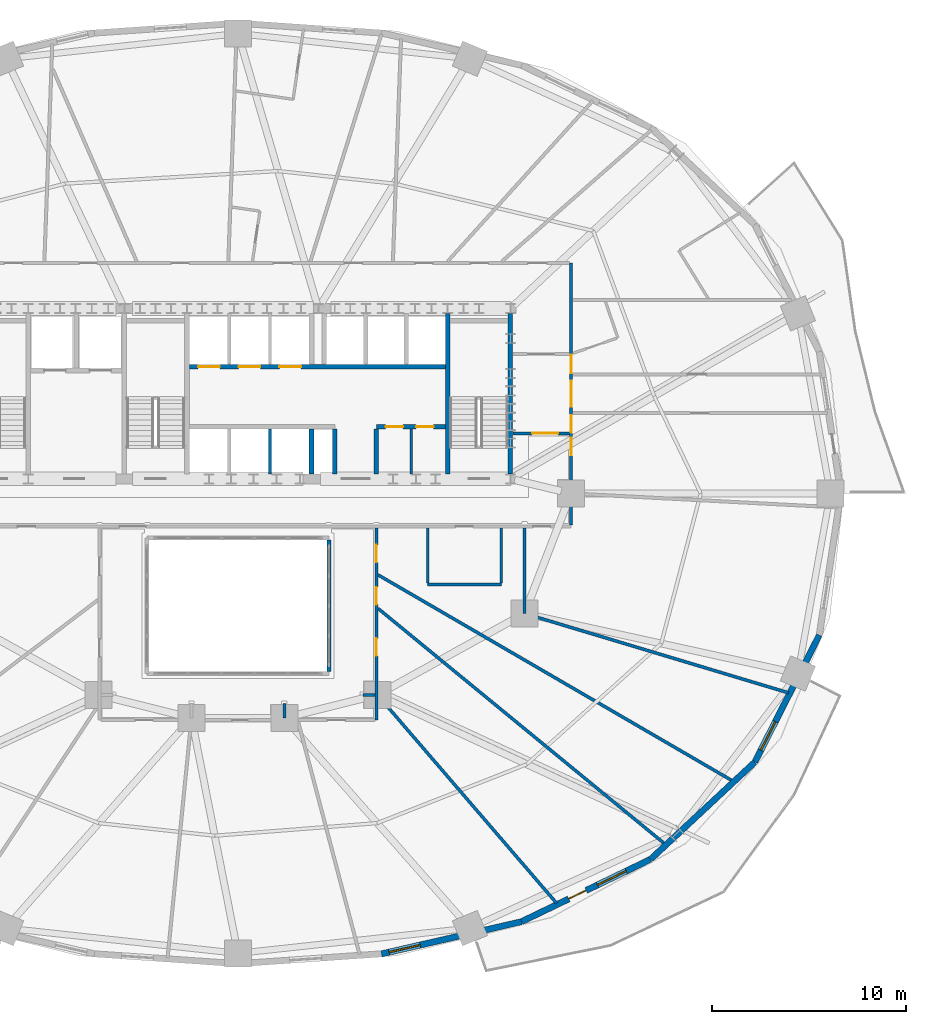
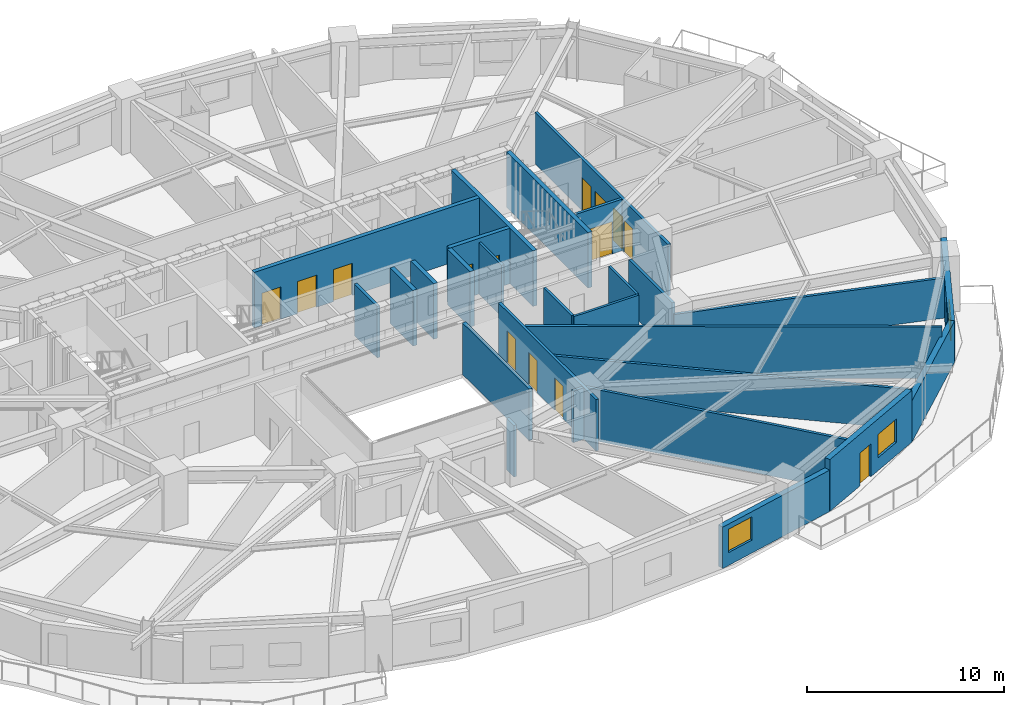
# One storey, part 11 of 18: 27 walls, 14 doors, 3 windows, 17 openings.
"""IFC4 building model written with IfcOpenShell, lengths in metres."""

from ifc_helpers import new_model, si_unit, direction, frame, frame_2d, origin, place, context, subcontext, project, spatial, rectangle, extrude, material, layer, layer_set, type_object, element, fill, save


model = new_model("IFC4")

# Units and contexts
model_context = context("Model", 3, precision=1e-05, world=origin(), true_north=direction((0.0, 1.0)))
body_context = subcontext(model_context, "Body", "Model", "MODEL_VIEW")
ifc_project = project(units=[si_unit("LENGTHUNIT", "METRE"), si_unit("AREAUNIT", "SQUARE_METRE"), si_unit("VOLUMEUNIT", "CUBIC_METRE"), si_unit("PLANEANGLEUNIT", "RADIAN"), si_unit("MASSUNIT", "GRAM", prefix="KILO")], contexts=[model_context])

# Site, building, storey
site_placement = place(None, origin())
site = spatial("IfcSite", under=ifc_project, at=site_placement, CompositionType="ELEMENT")
building_placement = place(site_placement, origin())
building = spatial("IfcBuilding", under=site, at=building_placement, Name="Haldorwick Loom Tower", CompositionType="ELEMENT")
storey_placement = place(building_placement, frame((0.0, 0.0, 48.14990234375)))
storey = spatial("IfcBuildingStorey", under=building, at=storey_placement, Name="L12", CompositionType="ELEMENT", Elevation=48.14990234375)

# Wall, opening, window
ifc_material_1 = material(Name="Pressed Clay Face Brick and Insulated Masonry Backup Assembly", Category="masonry")
ifc_layer_1 = layer(ifc_material_1, 0.320068359375, Name="Pressed Clay Face Brick and Insulated Masonry Backup Assembly", Category="masonry")
ifc_layer_set_1 = layer_set([ifc_layer_1], Name="Pressed Clay Face Brick and Insulated Masonry Backup Assembly")
wall_type_1 = type_object("IfcWallType", Name="ARC-WL-EXT320", PredefinedType="STANDARD", material=ifc_layer_set_1)
wall_1_placement = place(storey_placement, frame((43.411376953125, 2.219482421875, 0.0), z_axis=(0.0, 0.0, 1.0), x_axis=(0.974522412345, 0.224290142088, 0.0)))
wall_1 = element("IfcWall", 1, at=wall_1_placement, inside=storey, type_object=wall_type_1, Name="L12 Brick Pier and Spandrel Wall 20", PredefinedType="STANDARD", context=body_context, shape_type="SweptSolid", body=[
    extrude(rectangle(XDim=7.422607421875, YDim=0.320068359375, at=frame_2d((3.71142578125, 0.0))), origin(), (0.0, 0.0, 1.0), 2.569091796875),
])
opening_1_placement = place(wall_1_placement, frame((0.39990234375, 0.0, 0.800048828125)))
opening_1 = element("IfcOpeningElement", 2, at=opening_1_placement, cuts=wall_1, Name="Opening W-01B", PredefinedType="OPENING", context=body_context, shape_type="SweptSolid", body=[
    extrude(rectangle(XDim=1.64990234375, YDim=1.449951171875, at=frame_2d((0.824951171875, 0.72509765625))), frame((0.0, 0.169921875, 0.0), z_axis=(0.0, -1.0, 0.0), x_axis=(1.0, 0.0, 0.0)), (0.0, 0.0, 1.0), 0.340087890625),
])
ifc_material_2 = material(Name="Triple-Glazed Low-E Argon Insulated Glazing Unit", Category="glass")
window_type = type_object("IfcWindowType", Name="ARC-WIN-W165", PartitioningType="SINGLE_PANEL", PredefinedType="WINDOW", material=ifc_material_2)
window_1_placement = place(opening_1_placement, origin())
window_1 = element("IfcWindow", 3, at=window_1_placement, inside=storey, type_object=window_type, Name="L12 Deep-Set Zone 7A Window 20", OverallHeight=1.449951171875, OverallWidth=1.64990234375, PartitioningType="SINGLE_PANEL", PredefinedType="WINDOW", context=body_context, shape_type="SweptSolid", body=[
    extrude(rectangle(XDim=1.64990234375, YDim=1.449951171875, at=frame_2d((0.824951171875, 0.72509765625))), frame((0.0, 0.030029296875, 0.0), z_axis=(0.0, -1.0, 0.0), x_axis=(1.0, 0.0, 0.0)), (0.0, 0.0, 1.0), 0.06005859375),
])
fill(opening_1, window_1)

# Wall, openings, door, window
wall_2_placement = place(storey_placement, frame((50.644775390625, 3.88427734375, 0.0), z_axis=(0.0, 0.0, 1.0), x_axis=(0.900295710431, 0.435278800057, 0.0)))
wall_2 = element("IfcWall", 4, at=wall_2_placement, inside=storey, type_object=wall_type_1, Name="L12 Brick Pier and Spandrel Wall 21", PredefinedType="STANDARD", context=body_context, shape_type="SweptSolid", body=[
    extrude(rectangle(XDim=7.39697265625, YDim=0.320068359375, at=frame_2d((3.698486328125, 0.0))), origin(), (0.0, 0.0, 1.0), 3.210205078125),
])
opening_2_placement = place(wall_2_placement, frame((2.705322265625, 0.0, 0.0)))
opening_2 = element("IfcOpeningElement", 5, at=opening_2_placement, cuts=wall_2, Name="Opening D-BL10", PredefinedType="OPENING", context=body_context, shape_type="SweptSolid", body=[
    extrude(rectangle(XDim=1.0, YDim=2.0400390625, at=frame_2d((0.5, 1.02001953125))), frame((0.0, 0.169921875, 0.0), z_axis=(0.0, -1.0, 0.0), x_axis=(1.0, 0.0, 0.0)), (0.0, 0.0, 1.0), 0.340087890625),
])
opening_3_placement = place(wall_2_placement, frame((4.352783203125, 0.0, 0.800048828125)))
opening_3 = element("IfcOpeningElement", 6, at=opening_3_placement, cuts=wall_2, Name="Opening W-01B", PredefinedType="OPENING", context=body_context, shape_type="SweptSolid", body=[
    extrude(rectangle(XDim=1.64990234375, YDim=1.449951171875, at=frame_2d((0.824951171875, 0.72509765625))), frame((0.0, 0.169921875, 0.0), z_axis=(0.0, -1.0, 0.0), x_axis=(1.0, 0.0, 0.0)), (0.0, 0.0, 1.0), 0.340087890625),
])
ifc_material_3 = material(Name="Thermally Broken Anodized Aluminium Curtain Wall Framing", Category="aluminium")
door_type_1 = type_object("IfcDoorType", Name="ARC-DR-BAL100", OperationType="NOTDEFINED", PredefinedType="DOOR", material=ifc_material_3)
door_1_placement = place(opening_2_placement, origin())
door_1 = element("IfcDoor", 7, at=door_1_placement, inside=storey, type_object=door_type_1, Name="L12 Outdoor Terrace Door SLB-L12-BAL_SE", OperationType="SINGLE_SWING_RIGHT", OverallHeight=2.0400390625, OverallWidth=1.0, PredefinedType="DOOR", context=body_context, shape_type="SweptSolid", body=[
    extrude(rectangle(XDim=1.0, YDim=2.0400390625, at=frame_2d((0.5, 1.02001953125))), frame((0.0, 0.02490234375, 0.0), z_axis=(0.0, -1.0, 0.0), x_axis=(1.0, 0.0, 0.0)), (0.0, 0.0, 1.0), 0.050048828125),
])
fill(opening_2, door_1)
window_2_placement = place(opening_3_placement, origin())
window_2 = element("IfcWindow", 8, at=window_2_placement, inside=storey, type_object=window_type, Name="L12 Deep-Set Zone 7A Window 21", OverallHeight=1.449951171875, OverallWidth=1.64990234375, PartitioningType="SINGLE_PANEL", PredefinedType="WINDOW", context=body_context, shape_type="SweptSolid", body=[
    extrude(rectangle(XDim=1.64990234375, YDim=1.449951171875, at=frame_2d((0.824951171875, 0.72509765625))), frame((0.0, 0.030029296875, 0.0), z_axis=(0.0, -1.0, 0.0), x_axis=(1.0, 0.0, 0.0)), (0.0, 0.0, 1.0), 0.06005859375),
])
fill(opening_3, window_2)

# Wall
wall_3_placement = place(storey_placement, frame((57.30419921875, 7.10400390625, 0.0), z_axis=(0.0, 0.0, 1.0), x_axis=(0.73176101237, 0.681561311091, 0.0)))
element("IfcWall", 9, at=wall_3_placement, inside=storey, type_object=wall_type_1, Name="L12 Brick Pier and Spandrel Wall 22", PredefinedType="STANDARD", context=body_context, shape_type="SweptSolid", body=[
    extrude(rectangle(XDim=7.3583984375, YDim=0.320068359375, at=frame_2d((3.67919921875, 0.0))), origin(), (0.0, 0.0, 1.0), 2.569091796875),
])

# Wall, opening, window
wall_4_placement = place(storey_placement, frame((62.688720703125, 12.119140625, 0.0), z_axis=(0.0, 0.0, 1.0), x_axis=(0.452950855928, 0.891535485617, 0.0)))
wall_4 = element("IfcWall", 10, at=wall_4_placement, inside=storey, type_object=wall_type_1, Name="L12 Brick Pier and Spandrel Wall 23", PredefinedType="STANDARD", context=body_context, shape_type="SweptSolid", body=[
    extrude(rectangle(XDim=7.3583984375, YDim=0.320068359375, at=frame_2d((3.67919921875, 0.0))), origin(), (0.0, 0.0, 1.0), 2.569091796875),
])
opening_4_placement = place(wall_4_placement, frame((0.69921875, 0.0, 0.800048828125)))
opening_4 = element("IfcOpeningElement", 11, at=opening_4_placement, cuts=wall_4, Name="Opening W-01B", PredefinedType="OPENING", context=body_context, shape_type="SweptSolid", body=[
    extrude(rectangle(XDim=1.64990234375, YDim=1.449951171875, at=frame_2d((0.824951171875, 0.72509765625))), frame((0.0, 0.169921875, 0.0), z_axis=(0.0, -1.0, 0.0), x_axis=(1.0, 0.0, 0.0)), (0.0, 0.0, 1.0), 0.340087890625),
])
window_3_placement = place(opening_4_placement, origin())
window_3 = element("IfcWindow", 12, at=window_3_placement, inside=storey, type_object=window_type, Name="L12 Deep-Set Zone 7A Window 23", OverallHeight=1.449951171875, OverallWidth=1.64990234375, PartitioningType="SINGLE_PANEL", PredefinedType="WINDOW", context=body_context, shape_type="SweptSolid", body=[
    extrude(rectangle(XDim=1.64990234375, YDim=1.449951171875, at=frame_2d((0.824951171875, 0.72509765625))), frame((0.0, 0.030029296875, 0.0), z_axis=(0.0, -1.0, 0.0), x_axis=(1.0, 0.0, 0.0)), (0.0, 0.0, 1.0), 0.06005859375),
])
fill(opening_4, window_3)

# Wall, openings, doors
ifc_material_4 = material(Name="Fire-Rated Type X Gypsum Stud Assembly EI 60")
ifc_layer_2 = layer(ifc_material_4, 0.159912109375, Name="Fire-Rated Type X Gypsum Stud Assembly EI 60")
ifc_layer_set_2 = layer_set([ifc_layer_2], Name="Fire-Rated Type X Gypsum Stud Assembly EI 60")
wall_type_2 = type_object("IfcWallType", Name="ARC-WL-FIRE160", PredefinedType="PARTITIONING", material=ifc_layer_set_2)
wall_5_placement = place(storey_placement, frame((53.199951171875, 24.383056640625, 0.0), z_axis=(0.0, 0.0, 1.0), x_axis=(0.0, 1.0, 0.0)))
wall_5 = element("IfcWall", 13, at=wall_5_placement, inside=storey, type_object=wall_type_2, Name="L12 Residential Fire Partition L12-CR-E0", PredefinedType="PARTITIONING", context=body_context, shape_type="SweptSolid", body=[
    extrude(rectangle(XDim=13.516845703125, YDim=0.159912109375, at=frame_2d((6.75830078125, 0.0))), origin(), (0.0, 0.0, 1.0), 3.195068359375),
])
opening_5_placement = place(wall_5_placement, frame((6.08349609375, 0.0, 0.0)))
opening_5 = element("IfcOpeningElement", 14, at=opening_5_placement, cuts=wall_5, Name="Opening D-CR15", PredefinedType="OPENING", context=body_context, shape_type="SweptSolid", body=[
    extrude(rectangle(XDim=1.35009765625, YDim=2.0, at=frame_2d((0.675048828125, 1.0))), frame((0.0, 0.08984375, 0.0), z_axis=(0.0, -1.0, 0.0), x_axis=(1.0, 0.0, 0.0)), (0.0, 0.0, 1.0), 0.179931640625),
])
opening_6_placement = place(wall_5_placement, frame((3.5908203125, 0.0, 0.0)))
opening_6 = element("IfcOpeningElement", 15, at=opening_6_placement, cuts=wall_5, Name="Opening D-FD60A", PredefinedType="OPENING", context=body_context, shape_type="SweptSolid", body=[
    extrude(rectangle(XDim=0.89990234375, YDim=2.0, at=frame_2d((0.449951171875, 1.0))), frame((0.0, 0.08984375, 0.0), z_axis=(0.0, -1.0, 0.0), x_axis=(1.0, 0.0, 0.0)), (0.0, 0.0, 1.0), 0.179931640625),
])
opening_7_placement = place(wall_5_placement, frame((4.75732421875, 0.0, 0.0)))
opening_7 = element("IfcOpeningElement", 16, at=opening_7_placement, cuts=wall_5, Name="Opening D-FD60A", PredefinedType="OPENING", context=body_context, shape_type="SweptSolid", body=[
    extrude(rectangle(XDim=0.89990234375, YDim=2.0, at=frame_2d((0.449951171875, 1.0))), frame((0.0, 0.08984375, 0.0), z_axis=(0.0, -1.0, 0.0), x_axis=(1.0, 0.0, 0.0)), (0.0, 0.0, 1.0), 0.179931640625),
])
opening_8_placement = place(wall_5_placement, frame((7.834716796875, 0.0, 0.0)))
opening_8 = element("IfcOpeningElement", 17, at=opening_8_placement, cuts=wall_5, Name="Opening D-FL95", PredefinedType="OPENING", context=body_context, shape_type="SweptSolid", body=[
    extrude(rectangle(XDim=0.949951171875, YDim=2.0400390625, at=frame_2d((0.47509765625, 1.02001953125))), frame((0.0, 0.08984375, 0.0), z_axis=(0.0, -1.0, 0.0), x_axis=(1.0, 0.0, 0.0)), (0.0, 0.0, 1.0), 0.179931640625),
])
ifc_material_5 = material(Name="Thermally Broken Anodized Aluminium and Tempered Glass", Category="aluminium")
door_type_2 = type_object("IfcDoorType", Name="ARC-DR-COR150", OperationType="NOTDEFINED", PredefinedType="DOOR", material=ifc_material_5)
door_2_placement = place(opening_5_placement, origin())
door_2 = element("IfcDoor", 18, at=door_2_placement, inside=storey, type_object=door_type_2, Name="L12 L12 East Residential Corridor to L12 East Daylight Corridor Door", OperationType="DOUBLE_DOOR_SINGLE_SWING", OverallHeight=2.0, OverallWidth=1.35009765625, PredefinedType="DOOR", context=body_context, shape_type="SweptSolid", body=[
    extrude(rectangle(XDim=1.35009765625, YDim=2.0, at=frame_2d((0.675048828125, 1.0))), frame((0.0, 0.02490234375, 0.0), z_axis=(0.0, -1.0, 0.0), x_axis=(1.0, 0.0, 0.0)), (0.0, 0.0, 1.0), 0.050048828125),
])
fill(opening_5, door_2)
ifc_material_6 = material(Name="Hollow Steel Fire Door Assembly", Category="steel")
door_type_3 = type_object("IfcDoorType", Name="ARC-DR-FD60-90", OperationType="NOTDEFINED", PredefinedType="DOOR", material=ifc_material_6)
door_3_placement = place(opening_6_placement, origin())
door_3 = element("IfcDoor", 19, at=door_3_placement, inside=storey, type_object=door_type_3, Name="L12 L12 Central Residential Corridor to Tenant Seminar Room 2 Door", OperationType="SINGLE_SWING_LEFT", OverallHeight=2.0, OverallWidth=0.89990234375, PredefinedType="DOOR", context=body_context, shape_type="SweptSolid", body=[
    extrude(rectangle(XDim=0.89990234375, YDim=2.0, at=frame_2d((0.449951171875, 1.0))), frame((0.0, 0.02490234375, 0.0), z_axis=(0.0, -1.0, 0.0), x_axis=(1.0, 0.0, 0.0)), (0.0, 0.0, 1.0), 0.050048828125),
])
fill(opening_6, door_3)
door_4_placement = place(opening_7_placement, origin())
door_4 = element("IfcDoor", 20, at=door_4_placement, inside=storey, type_object=door_type_3, Name="L12 L12 East Residential Corridor to Tenant Seminar Room 2 Door", OperationType="SINGLE_SWING_LEFT", OverallHeight=2.0, OverallWidth=0.89990234375, PredefinedType="DOOR", context=body_context, shape_type="SweptSolid", body=[
    extrude(rectangle(XDim=0.89990234375, YDim=2.0, at=frame_2d((0.449951171875, 1.0))), frame((0.0, 0.02490234375, 0.0), z_axis=(0.0, -1.0, 0.0), x_axis=(1.0, 0.0, 0.0)), (0.0, 0.0, 1.0), 0.050048828125),
])
fill(opening_7, door_4)
ifc_material_7 = material(Name="Solid Core Birch Architectural Door")
door_type_4 = type_object("IfcDoorType", Name="ARC-DR-FLAT95", OperationType="NOTDEFINED", PredefinedType="DOOR", material=ifc_material_7)
door_5_placement = place(opening_8_placement, origin())
door_5 = element("IfcDoor", 21, at=door_5_placement, inside=storey, type_object=door_type_4, Name="L12 L12 East Residential Corridor to Unit 12C Kitchen and Studio Living ", OperationType="SINGLE_SWING_RIGHT", OverallHeight=2.0400390625, OverallWidth=0.949951171875, PredefinedType="DOOR", context=body_context, shape_type="SweptSolid", body=[
    extrude(rectangle(XDim=0.949951171875, YDim=2.0400390625, at=frame_2d((0.47509765625, 1.02001953125))), frame((0.0, 0.02490234375, 0.0), z_axis=(0.0, -1.0, 0.0), x_axis=(1.0, 0.0, 0.0)), (0.0, 0.0, 1.0), 0.050048828125),
])
fill(opening_8, door_5)

# Wall, opening, door
wall_6_placement = place(storey_placement, frame((50.193115234375, 29.10009765625, 0.0), z_axis=(0.0, 0.0, 1.0), x_axis=(1.0, 0.0, 0.0)))
wall_6 = element("IfcWall", 22, at=wall_6_placement, inside=storey, type_object=wall_type_2, Name="L12 Residential Fire Partition L12-CR-ESJ", PredefinedType="PARTITIONING", context=body_context, shape_type="SweptSolid", body=[
    extrude(rectangle(XDim=2.923828125, YDim=0.159912109375, at=frame_2d((1.4619140625, 0.0))), origin(), (0.0, 0.0, 1.0), 3.195068359375),
])
opening_9_placement = place(wall_6_placement, frame((0.99560546875, 0.0, 0.0)))
opening_9 = element("IfcOpeningElement", 23, at=opening_9_placement, cuts=wall_6, Name="Opening D-CR15", PredefinedType="OPENING", context=body_context, shape_type="SweptSolid", body=[
    extrude(rectangle(XDim=1.35009765625, YDim=2.0, at=frame_2d((0.675048828125, 1.0))), frame((0.0, 0.08984375, 0.0), z_axis=(0.0, -1.0, 0.0), x_axis=(1.0, 0.0, 0.0)), (0.0, 0.0, 1.0), 0.179931640625),
])
door_6_placement = place(opening_9_placement, origin())
door_6 = element("IfcDoor", 24, at=door_6_placement, inside=storey, type_object=door_type_2, Name="L12 L12 East Residential Corridor to L12 Central Residential Corridor Do", OperationType="DOUBLE_DOOR_SINGLE_SWING", OverallHeight=2.0, OverallWidth=1.35009765625, PredefinedType="DOOR", context=body_context, shape_type="SweptSolid", body=[
    extrude(rectangle(XDim=1.35009765625, YDim=2.0, at=frame_2d((0.675048828125, 1.0))), frame((0.0, 0.02490234375, 0.0), z_axis=(0.0, -1.0, 0.0), x_axis=(1.0, 0.0, 0.0)), (0.0, 0.0, 1.0), 0.050048828125),
])
fill(opening_9, door_6)

# Wall, openings, doors
wall_7_placement = place(storey_placement, frame((43.14990234375, 14.300048828125, 0.0), z_axis=(0.0, 0.0, 1.0), x_axis=(0.0, 1.0, 0.0)))
wall_7 = element("IfcWall", 25, at=wall_7_placement, inside=storey, type_object=wall_type_2, Name="L12 Residential Fire Partition L12-CR-AE", PredefinedType="PARTITIONING", context=body_context, shape_type="SweptSolid", body=[
    extrude(rectangle(XDim=9.9169921875, YDim=0.159912109375, at=frame_2d((4.95849609375, 0.0))), origin(), (0.0, 0.0, 1.0), 3.195068359375),
])
opening_10_placement = place(wall_7_placement, frame((3.3134765625, 0.0, 0.0)))
opening_10 = element("IfcOpeningElement", 26, at=opening_10_placement, cuts=wall_7, Name="Opening D-FD60A", PredefinedType="OPENING", context=body_context, shape_type="SweptSolid", body=[
    extrude(rectangle(XDim=0.89990234375, YDim=2.0, at=frame_2d((0.449951171875, 1.0))), frame((0.0, 0.08984375, 0.0), z_axis=(0.0, -1.0, 0.0), x_axis=(1.0, 0.0, 0.0)), (0.0, 0.0, 1.0), 0.179931640625),
])
opening_11_placement = place(wall_7_placement, frame((8.144775390625, 0.0, 0.0)))
opening_11 = element("IfcOpeningElement", 27, at=opening_11_placement, cuts=wall_7, Name="Opening D-FD60A", PredefinedType="OPENING", context=body_context, shape_type="SweptSolid", body=[
    extrude(rectangle(XDim=0.89990234375, YDim=2.0, at=frame_2d((0.449951171875, 1.0))), frame((0.0, 0.08984375, 0.0), z_axis=(0.0, -1.0, 0.0), x_axis=(1.0, 0.0, 0.0)), (0.0, 0.0, 1.0), 0.179931640625),
])
opening_12_placement = place(wall_7_placement, frame((5.962646484375, 0.0, 0.0)))
opening_12 = element("IfcOpeningElement", 28, at=opening_12_placement, cuts=wall_7, Name="Opening D-FD60A", PredefinedType="OPENING", context=body_context, shape_type="SweptSolid", body=[
    extrude(rectangle(XDim=0.89990234375, YDim=2.0, at=frame_2d((0.449951171875, 1.0))), frame((0.0, 0.08984375, 0.0), z_axis=(0.0, -1.0, 0.0), x_axis=(1.0, 0.0, 0.0)), (0.0, 0.0, 1.0), 0.179931640625),
])
door_7_placement = place(opening_10_placement, origin())
door_7 = element("IfcDoor", 29, at=door_7_placement, inside=storey, type_object=door_type_3, Name="L12 L12 South Atrium Corridor to Community Teaching Classroom 11 Door", OperationType="SINGLE_SWING_LEFT", OverallHeight=2.0, OverallWidth=0.89990234375, PredefinedType="DOOR", context=body_context, shape_type="SweptSolid", body=[
    extrude(rectangle(XDim=0.89990234375, YDim=2.0, at=frame_2d((0.449951171875, 1.0))), frame((0.0, 0.02490234375, 0.0), z_axis=(0.0, -1.0, 0.0), x_axis=(1.0, 0.0, 0.0)), (0.0, 0.0, 1.0), 0.050048828125),
])
fill(opening_10, door_7)
door_8_placement = place(opening_11_placement, origin())
door_8 = element("IfcDoor", 30, at=door_8_placement, inside=storey, type_object=door_type_3, Name="L12 L12 South Atrium Corridor to Tenant Meeting Room 1 Door", OperationType="SINGLE_SWING_LEFT", OverallHeight=2.0, OverallWidth=0.89990234375, PredefinedType="DOOR", context=body_context, shape_type="SweptSolid", body=[
    extrude(rectangle(XDim=0.89990234375, YDim=2.0, at=frame_2d((0.449951171875, 1.0))), frame((0.0, 0.02490234375, 0.0), z_axis=(0.0, -1.0, 0.0), x_axis=(1.0, 0.0, 0.0)), (0.0, 0.0, 1.0), 0.050048828125),
])
fill(opening_11, door_8)
door_9_placement = place(opening_12_placement, origin())
door_9 = element("IfcDoor", 31, at=door_9_placement, inside=storey, type_object=door_type_3, Name="L12 L12 South Atrium Corridor to Community Teaching Classroom 17 Door", OperationType="SINGLE_SWING_RIGHT", OverallHeight=2.0, OverallWidth=0.89990234375, PredefinedType="DOOR", context=body_context, shape_type="SweptSolid", body=[
    extrude(rectangle(XDim=0.89990234375, YDim=2.0, at=frame_2d((0.449951171875, 1.0))), frame((0.0, 0.02490234375, 0.0), z_axis=(0.0, -1.0, 0.0), x_axis=(1.0, 0.0, 0.0)), (0.0, 0.0, 1.0), 0.050048828125),
])
fill(opening_12, door_9)

# Walls
wall_8_placement = place(storey_placement, frame((50.800048828125, 19.800048828125, 0.0), z_axis=(0.0, 0.0, 1.0), x_axis=(0.957673245776, -0.287857524351, 0.0)))
element("IfcWall", 32, at=wall_8_placement, inside=storey, type_object=wall_type_2, Name="L12 Residential Fire Partition L12-ICR-03", PredefinedType="PARTITIONING", context=body_context, shape_type="SweptSolid", body=[
    extrude(rectangle(XDim=14.238525390625, YDim=0.159912109375, at=frame_2d((7.119140625, 0.0))), origin(), (0.0, 0.0, 1.0), 2.489990234375),
])
wall_9_placement = place(storey_placement, frame((43.23291015625, 15.5615234375, 0.0), z_axis=(0.0, 0.0, 1.0), x_axis=(0.652038078605, -0.758186219902, 0.0)))
element("IfcWall", 33, at=wall_9_placement, inside=storey, type_object=wall_type_2, Name="L12 Residential Fire Partition L12-ICR-05", PredefinedType="PARTITIONING", context=body_context, shape_type="SweptSolid", body=[
    extrude(rectangle(XDim=14.149658203125, YDim=0.159912109375, at=frame_2d((7.07470703125, 0.0))), origin(), (0.0, 0.0, 1.0), 3.195068359375),
])
wall_10_placement = place(storey_placement, frame((50.800048828125, 24.217041015625, 0.0), z_axis=(0.0, 0.0, 1.0), x_axis=(0.0, -1.0, 0.0)))
element("IfcWall", 34, at=wall_10_placement, inside=storey, type_object=wall_type_2, Name="L12 Residential Fire Partition L12-ICA-02", PredefinedType="PARTITIONING", context=body_context, shape_type="SweptSolid", body=[
    extrude(rectangle(XDim=4.4169921875, YDim=0.159912109375, at=frame_2d((2.20849609375, 0.0))), origin(), (0.0, 0.0, 1.0), 3.195068359375),
])
wall_11_placement = place(storey_placement, frame((42.449951171875, 15.60009765625, 0.0), z_axis=(0.0, 0.0, 1.0), x_axis=(1.0, 0.0, 0.0)))
element("IfcWall", 35, at=wall_11_placement, inside=storey, type_object=wall_type_2, Name="L12 Residential Fire Partition L12-ICA-04", PredefinedType="PARTITIONING", context=body_context, shape_type="SweptSolid", body=[
    extrude(rectangle(XDim=0.616943359375, YDim=0.159912109375, at=frame_2d((0.30859375, 0.0))), origin(), (0.0, 0.0, 1.0), 3.195068359375),
])
wall_12_placement = place(storey_placement, frame((38.39990234375, 15.14990234375, 0.0), z_axis=(0.0, 0.0, 1.0), x_axis=(0.0, -1.0, 0.0)))
element("IfcWall", 36, at=wall_12_placement, inside=storey, type_object=wall_type_2, Name="L12 Residential Fire Partition L12-ICA-06", PredefinedType="PARTITIONING", context=body_context, shape_type="SweptSolid", body=[
    extrude(rectangle(XDim=0.75, YDim=0.159912109375, at=frame_2d((0.375, 0.0))), origin(), (0.0, 0.0, 1.0), 3.195068359375),
])
wall_13_placement = place(storey_placement, frame((43.23291015625, 21.796142578125, 0.0), z_axis=(0.0, 0.0, 1.0), x_axis=(0.864574362114, -0.502504897862, 0.0)))
element("IfcWall", 37, at=wall_13_placement, inside=storey, type_object=wall_type_2, Name="L12 Suite Split Wall", PredefinedType="PARTITIONING", context=body_context, shape_type="SweptSolid", body=[
    extrude(rectangle(XDim=21.188232421875, YDim=0.159912109375, at=frame_2d((10.59423828125, 0.0))), origin(), (0.0, 0.0, 1.0), 3.195068359375),
])
wall_14_placement = place(storey_placement, frame((43.23291015625, 20.0615234375, 0.0), z_axis=(0.0, 0.0, 1.0), x_axis=(0.772891023515, -0.634538781927, 0.0)))
element("IfcWall", 38, at=wall_14_placement, inside=storey, type_object=wall_type_2, Name="L12 Suite Split Wall", PredefinedType="PARTITIONING", context=body_context, shape_type="SweptSolid", body=[
    extrude(rectangle(XDim=19.177978515625, YDim=0.159912109375, at=frame_2d((9.5888671875, 0.0))), origin(), (0.0, 0.0, 1.0), 2.489990234375),
])
ifc_material_8 = material(Name="Fire-Rated Type X Gypsum Stud Assembly EI 120")
ifc_layer_3 = layer(ifc_material_8, 0.199951171875, Name="Fire-Rated Type X Gypsum Stud Assembly EI 120")
ifc_layer_set_3 = layer_set([ifc_layer_3], Name="Fire-Rated Type X Gypsum Stud Assembly EI 120")
wall_type_3 = type_object("IfcWallType", Name="ARC-WL-FIRE200", PredefinedType="PARTITIONING", material=ifc_layer_set_3)
wall_15_placement = place(storey_placement, frame((40.699951171875, 23.596923828125, 0.0), z_axis=(0.0, 0.0, 1.0), x_axis=(0.0, -1.0, 0.0)))
element("IfcWall", 39, at=wall_15_placement, inside=storey, type_object=wall_type_3, Name="L12 Atrium Fire Enclosure Wall E", PredefinedType="PARTITIONING", context=body_context, shape_type="SweptSolid", body=[
    extrude(rectangle(XDim=6.7939453125, YDim=0.199951171875, at=frame_2d((3.39697265625, 0.0))), origin(), (0.0, 0.0, 1.0), 3.195068359375),
])
ifc_layer_4 = layer(ifc_material_4, 0.139892578125, Name="Fire-Rated Type X Gypsum Stud Assembly EI 60")
ifc_layer_set_4 = layer_set([ifc_layer_4], Name="Fire-Rated Type X Gypsum Stud Assembly EI 60")
wall_type_4 = type_object("IfcWallType", Name="ARC-WL-PART140", PredefinedType="PARTITIONING", material=ifc_layer_set_4)
wall_16_placement = place(storey_placement, frame((44.949951171875, 27.0029296875, 0.0), z_axis=(0.0, 0.0, 1.0), x_axis=(0.0, 1.0, 0.0)))
element("IfcWall", 40, at=wall_16_placement, inside=storey, type_object=wall_type_4, Name="L12 Service Partition", PredefinedType="PARTITIONING", context=body_context, shape_type="SweptSolid", body=[
    extrude(rectangle(XDim=2.323974609375, YDim=0.139892578125, at=frame_2d((1.162109375, 0.0))), origin(), (0.0, 0.0, 1.0), 3.195068359375),
])
wall_17_placement = place(storey_placement, frame((45.800048828125, 21.300048828125, 0.0), z_axis=(0.0, 0.0, 1.0), x_axis=(1.0, 0.0, 0.0)))
element("IfcWall", 41, at=wall_17_placement, inside=storey, type_object=wall_type_4, Name="L12 Residential Fire Partition L12-CWC-S", PredefinedType="PARTITIONING", context=body_context, shape_type="SweptSolid", body=[
    extrude(rectangle(XDim=3.800048828125, YDim=0.139892578125, at=frame_2d((1.89990234375, 0.0))), origin(), (0.0, 0.0, 1.0), 3.195068359375),
])
for number, where, z_axis, x_axis, name in (
    (42, (45.800048828125, 21.373046875, 0.0), (0.0, 0.0, 1.0), (0.0, 1.0, 0.0), "L12 Residential Fire Partition L12-CWC-W"),
    (43, (49.60009765625, 21.373046875, 0.0), (0.0, 0.0, 1.0), (0.0, 1.0, 0.0), "L12 Residential Fire Partition L12-CWC-E"),
):
    element("IfcWall", number, at=place(storey_placement, frame(where, z_axis=z_axis, x_axis=x_axis)), inside=storey, type_object=wall_type_4, Name=name, PredefinedType="PARTITIONING", context=body_context, shape_type="SweptSolid", body=[
        extrude(rectangle(XDim=2.843994140625, YDim=0.139892578125, at=frame_2d((1.421875, 0.0))), origin(), (0.0, 0.0, 1.0), 3.195068359375),
    ])
ifc_layer_5 = layer(ifc_material_8, 0.1650390625, Name="Fire-Rated Type X Gypsum Stud Assembly EI 120")
ifc_layer_set_5 = layer_set([ifc_layer_5], Name="Fire-Rated Type X Gypsum Stud Assembly EI 120")
wall_type_5 = type_object("IfcWallType", Name="ARC-WL-SHAFT160", PredefinedType="MOVABLE", material=ifc_layer_set_5)
wall_18_placement = place(storey_placement, frame((37.64990234375, 27.0029296875, 0.0), z_axis=(0.0, 0.0, 1.0), x_axis=(0.0, 1.0, 0.0)))
element("IfcWall", 44, at=wall_18_placement, inside=storey, type_object=wall_type_5, Name="L12 Mid-Rise Hoistway Divider 2", PredefinedType="MOVABLE", context=body_context, shape_type="SweptSolid", body=[
    extrude(rectangle(XDim=2.323974609375, YDim=0.159912109375, at=frame_2d((1.162109375, 0.0))), origin(), (0.0, 0.0, 1.0), 3.195068359375),
])
ifc_material_9 = material(Name="Concrete C50 (50 MPa)", Category="concrete")
ifc_layer_6 = layer(ifc_material_9, 0.239990234375, Name="Concrete C50 (50 MPa)", Category="concrete")
ifc_layer_set_6 = layer_set([ifc_layer_6], Name="Concrete C50 (50 MPa)")
wall_type_6 = type_object("IfcWallType", Name="STR-WL-SHAFT240", PredefinedType="SHEAR", material=ifc_layer_set_6)
for number, where, z_axis, x_axis, name in (
    (45, (50.070068359375, 27.0029296875, 0.0), (0.0, 0.0, 1.0), (0.0, 1.0, 0.0), "L12 Core Shear Wall E"),
    (46, (46.830078125, 27.0029296875, 0.0), (0.0, 0.0, 1.0), (0.0, 1.0, 0.0), "L12 Core Shear Wall 4"),
):
    element("IfcWall", number, at=place(storey_placement, frame(where, z_axis=z_axis, x_axis=x_axis)), inside=storey, type_object=wall_type_6, Name=name, PredefinedType="SHEAR", context=body_context, shape_type="SweptSolid", body=[
        extrude(rectangle(XDim=8.294189453125, YDim=0.239990234375, at=frame_2d((4.14697265625, 0.0))), origin(), (0.0, 0.0, 1.0), 3.4501953125),
    ])

# Wall, openings, doors
wall_19_placement = place(storey_placement, frame((33.492919921875, 32.550048828125, 0.0), z_axis=(0.0, 0.0, 1.0), x_axis=(1.0, 0.0, 0.0)))
wall_19 = element("IfcWall", 47, at=wall_19_placement, inside=storey, type_object=wall_type_6, Name="L12 Core Shear Wall LN", PredefinedType="SHEAR", context=body_context, shape_type="SweptSolid", body=[
    extrude(rectangle(XDim=13.214111328125, YDim=0.239990234375, at=frame_2d((6.60693359375, 0.0))), origin(), (0.0, 0.0, 1.0), 3.4501953125),
])
opening_13_placement = place(wall_19_placement, frame((0.447021484375, 0.0, 0.0)))
opening_13 = element("IfcOpeningElement", 48, at=opening_13_placement, cuts=wall_19, Name="Opening LD-L1", PredefinedType="OPENING", context=body_context, shape_type="SweptSolid", body=[
    extrude(rectangle(XDim=1.1201171875, YDim=2.0, at=frame_2d((0.56005859375, 1.0))), frame((0.0, 0.1298828125, 0.0), z_axis=(0.0, -1.0, 0.0), x_axis=(1.0, 0.0, 0.0)), (0.0, 0.0, 1.0), 0.260009765625),
])
opening_14_placement = place(wall_19_placement, frame((2.547119140625, 0.0, 0.0)))
opening_14 = element("IfcOpeningElement", 49, at=opening_14_placement, cuts=wall_19, Name="Opening LD-L2", PredefinedType="OPENING", context=body_context, shape_type="SweptSolid", body=[
    extrude(rectangle(XDim=1.1201171875, YDim=2.0, at=frame_2d((0.56005859375, 1.0))), frame((0.0, 0.1298828125, 0.0), z_axis=(0.0, -1.0, 0.0), x_axis=(1.0, 0.0, 0.0)), (0.0, 0.0, 1.0), 0.260009765625),
])
opening_15_placement = place(wall_19_placement, frame((4.64697265625, 0.0, 0.0)))
opening_15 = element("IfcOpeningElement", 50, at=opening_15_placement, cuts=wall_19, Name="Opening LD-L3", PredefinedType="OPENING", context=body_context, shape_type="SweptSolid", body=[
    extrude(rectangle(XDim=1.1201171875, YDim=2.0, at=frame_2d((0.56005859375, 1.0))), frame((0.0, 0.1298828125, 0.0), z_axis=(0.0, -1.0, 0.0), x_axis=(1.0, 0.0, 0.0)), (0.0, 0.0, 1.0), 0.260009765625),
])
door_type_5 = type_object("IfcDoorType", Name="ARC-DR-LD-PAX", OperationType="NOTDEFINED", PredefinedType="USERDEFINED", material=ifc_material_6)
door_10_placement = place(opening_13_placement, origin())
door_10 = element("IfcDoor", 51, at=door_10_placement, inside=storey, type_object=door_type_5, Name="L12 Lift LF-L1 Sliding Landing Door", ObjectType="LANDING DOOR", OperationType="DOUBLE_DOOR_SLIDING", OverallHeight=2.0, OverallWidth=1.1201171875, PredefinedType="USERDEFINED", context=body_context, shape_type="SweptSolid", body=[
    extrude(rectangle(XDim=1.1201171875, YDim=2.0, at=frame_2d((0.56005859375, 1.0))), frame((0.0, 0.02490234375, 0.0), z_axis=(0.0, -1.0, 0.0), x_axis=(1.0, 0.0, 0.0)), (0.0, 0.0, 1.0), 0.050048828125),
])
fill(opening_13, door_10)
door_11_placement = place(opening_14_placement, origin())
door_11 = element("IfcDoor", 52, at=door_11_placement, inside=storey, type_object=door_type_5, Name="L12 Lift LF-L2 Sliding Landing Door", ObjectType="LANDING DOOR", OperationType="DOUBLE_DOOR_SLIDING", OverallHeight=2.0, OverallWidth=1.1201171875, PredefinedType="USERDEFINED", context=body_context, shape_type="SweptSolid", body=[
    extrude(rectangle(XDim=1.1201171875, YDim=2.0, at=frame_2d((0.56005859375, 1.0))), frame((0.0, 0.02490234375, 0.0), z_axis=(0.0, -1.0, 0.0), x_axis=(1.0, 0.0, 0.0)), (0.0, 0.0, 1.0), 0.050048828125),
])
fill(opening_14, door_11)
door_12_placement = place(opening_15_placement, origin())
door_12 = element("IfcDoor", 53, at=door_12_placement, inside=storey, type_object=door_type_5, Name="L12 Lift LF-L3 Sliding Landing Door", ObjectType="LANDING DOOR", OperationType="DOUBLE_DOOR_SLIDING", OverallHeight=2.0, OverallWidth=1.1201171875, PredefinedType="USERDEFINED", context=body_context, shape_type="SweptSolid", body=[
    extrude(rectangle(XDim=1.1201171875, YDim=2.0, at=frame_2d((0.56005859375, 1.0))), frame((0.0, 0.02490234375, 0.0), z_axis=(0.0, -1.0, 0.0), x_axis=(1.0, 0.0, 0.0)), (0.0, 0.0, 1.0), 0.050048828125),
])
fill(opening_15, door_12)

wall_20_placement = place(storey_placement, frame((43.14990234375, 29.449951171875, 0.0), z_axis=(0.0, 0.0, 1.0), x_axis=(1.0, 0.0, 0.0)))
wall_20 = element("IfcWall", 54, at=wall_20_placement, inside=storey, type_object=wall_type_6, Name="L12 Core Shear Wall LS2", PredefinedType="SHEAR", context=body_context, shape_type="SweptSolid", body=[
    extrude(rectangle(XDim=3.55712890625, YDim=0.239990234375, at=frame_2d((1.778564453125, 0.0))), origin(), (0.0, 0.0, 1.0), 3.4501953125),
])
opening_16_placement = place(wall_20_placement, frame((0.47998046875, 0.0, 0.0)))
opening_16 = element("IfcOpeningElement", 55, at=opening_16_placement, cuts=wall_20, Name="Opening D-FD60A", PredefinedType="OPENING", context=body_context, shape_type="SweptSolid", body=[
    extrude(rectangle(XDim=0.89990234375, YDim=2.0, at=frame_2d((0.449951171875, 1.0))), frame((0.0, 0.1298828125, 0.0), z_axis=(0.0, -1.0, 0.0), x_axis=(1.0, 0.0, 0.0)), (0.0, 0.0, 1.0), 0.260009765625),
])
opening_17_placement = place(wall_20_placement, frame((2.050048828125, 0.0, 0.0)))
opening_17 = element("IfcOpeningElement", 56, at=opening_17_placement, cuts=wall_20, Name="Opening D-FD60A", PredefinedType="OPENING", context=body_context, shape_type="SweptSolid", body=[
    extrude(rectangle(XDim=0.89990234375, YDim=2.0, at=frame_2d((0.449951171875, 1.0))), frame((0.0, 0.1298828125, 0.0), z_axis=(0.0, -1.0, 0.0), x_axis=(1.0, 0.0, 0.0)), (0.0, 0.0, 1.0), 0.260009765625),
])
door_13_placement = place(opening_16_placement, origin())
door_13 = element("IfcDoor", 57, at=door_13_placement, inside=storey, type_object=door_type_3, Name="L12 Electrical Room Door", OperationType="SINGLE_SWING_LEFT", OverallHeight=2.0, OverallWidth=0.89990234375, PredefinedType="DOOR", context=body_context, shape_type="SweptSolid", body=[
    extrude(rectangle(XDim=0.89990234375, YDim=2.0, at=frame_2d((0.449951171875, 1.0))), frame((0.0, 0.02490234375, 0.0), z_axis=(0.0, -1.0, 0.0), x_axis=(1.0, 0.0, 0.0)), (0.0, 0.0, 1.0), 0.050048828125),
])
fill(opening_16, door_13)
door_14_placement = place(opening_17_placement, origin())
door_14 = element("IfcDoor", 58, at=door_14_placement, inside=storey, type_object=door_type_3, Name="L12 Cleaner's Store Door", OperationType="SINGLE_SWING_LEFT", OverallHeight=2.0, OverallWidth=0.89990234375, PredefinedType="DOOR", context=body_context, shape_type="SweptSolid", body=[
    extrude(rectangle(XDim=0.89990234375, YDim=2.0, at=frame_2d((0.449951171875, 1.0))), frame((0.0, 0.02490234375, 0.0), z_axis=(0.0, -1.0, 0.0), x_axis=(1.0, 0.0, 0.0)), (0.0, 0.0, 1.0), 0.050048828125),
])
fill(opening_17, door_14)

# Walls
for number, where, z_axis, x_axis, name in (
    (59, (41.0, 27.0029296875, 0.0), (0.0, 0.0, 1.0), (0.0, 1.0, 0.0), "L12 Core Shear Wall THW"),
    (60, (43.14990234375, 27.0029296875, 0.0), (0.0, 0.0, 1.0), (0.0, 1.0, 0.0), "L12 Core Shear Wall THE"),
    (61, (39.800048828125, 27.0029296875, 0.0), (0.0, 0.0, 1.0), (0.0, 1.0, 0.0), "L12 Core Shear Wall MRW"),
):
    element("IfcWall", number, at=place(storey_placement, frame(where, z_axis=z_axis, x_axis=x_axis)), inside=storey, type_object=wall_type_6, Name=name, PredefinedType="SHEAR", context=body_context, shape_type="SweptSolid", body=[
        extrude(rectangle(XDim=2.323974609375, YDim=0.239990234375, at=frame_2d((1.162109375, 0.0))), origin(), (0.0, 0.0, 1.0), 3.4501953125),
    ])

save(model, "model.ifc")
